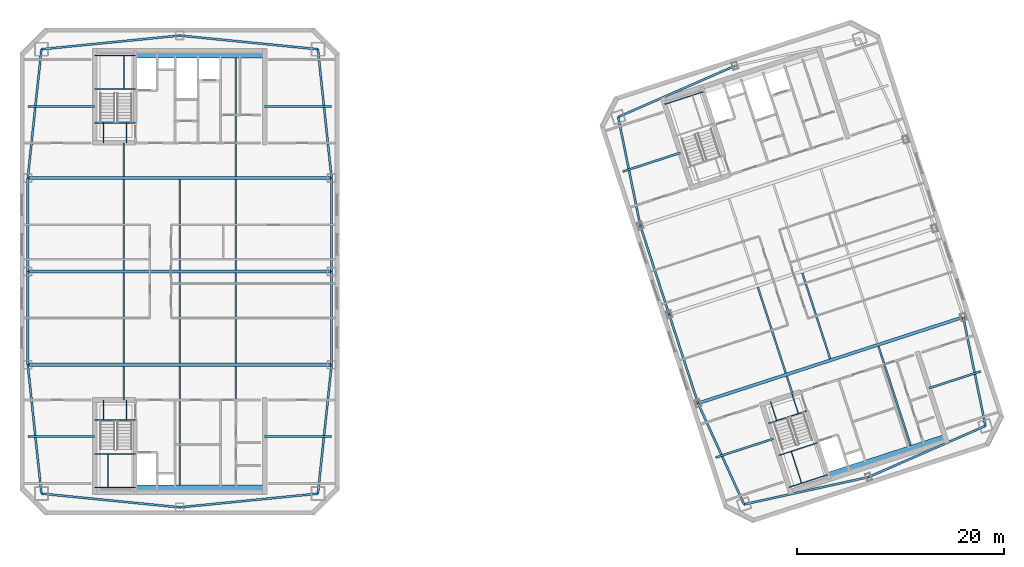
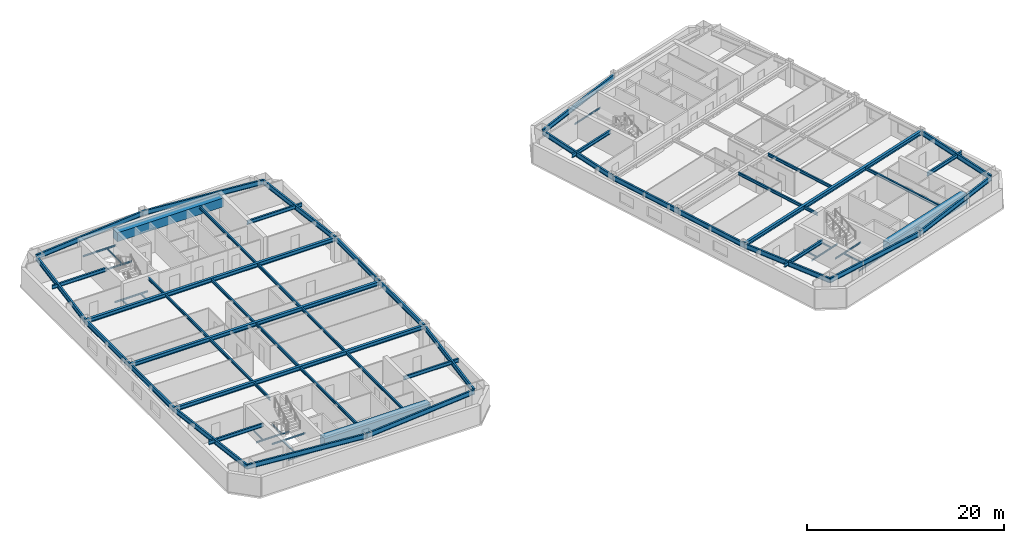
# One storey, part 3 of 13: 68 beams.
"""IFC4 building model written with IfcOpenShell, lengths in metres."""

from ifc_helpers import new_model, si_unit, direction, frame, origin, origin_2d, place, context, subcontext, project, spatial, rectangle, i_section, extrude, material, material_profile, profile_set, type_object, element, save


model = new_model("IFC4")

# Units and contexts
model_context = context("Model", 3, precision=1e-05, world=origin(), true_north=direction((0.0, 1.0)))
body_context = subcontext(model_context, "Body", "Model", "MODEL_VIEW")
ifc_project = project(units=[si_unit("LENGTHUNIT", "METRE"), si_unit("AREAUNIT", "SQUARE_METRE"), si_unit("VOLUMEUNIT", "CUBIC_METRE"), si_unit("PLANEANGLEUNIT", "RADIAN"), si_unit("MASSUNIT", "GRAM", prefix="KILO")], contexts=[model_context])

# Site, building, storey
site_placement = place(None, origin())
site = spatial("IfcSite", under=ifc_project, at=site_placement, CompositionType="ELEMENT")
building_placement = place(site_placement, origin())
building = spatial("IfcBuilding", under=site, at=building_placement, Name="Qiaolan Cultural Towers", CompositionType="ELEMENT")
storey_placement = place(building_placement, frame((0.0, 0.0, 234.39990234375)))
storey = spatial("IfcBuildingStorey", under=building, at=storey_placement, Name="L63", CompositionType="ELEMENT", Elevation=234.39990234375)

# Beams
ifc_material_1 = material(Name="Steel Q355B", Category="steel")
ifc_material_profile_1 = material_profile(ifc_material_1, i_section(OverallWidth=0.300048828125, OverallDepth=0.488037109375, WebThickness=0.010986328125, FlangeThickness=0.01806640625, at=origin_2d()), Name="HM488x300x11x18")
ifc_profile_set_1 = profile_set([ifc_material_profile_1], Name="Steel Q355B")
beam_type_1 = type_object("IfcBeamType", Name="BM-HM488x300x11x18", PredefinedType="BEAM", material=ifc_profile_set_1)
for number, where, z_axis, x_axis, name in (
    (1, (15.35009765625, 25.0, 2.696044921875), (1.0, 0.0, 0.0), (0.0, 1.0, 0.0), "L63 T1 Primary Transverse Girder V1"),
    (2, (15.35009765625, 34.0, 2.696044921875), (1.0, 0.0, 0.0), (0.0, 1.0, 0.0), "L63 T1 Primary Transverse Girder V2"),
    (3, (15.35009765625, 43.0, 2.696044921875), (1.0, 0.0, 0.0), (0.0, 1.0, 0.0), "L63 T1 Primary Transverse Girder V3"),
):
    element("IfcBeam", number, at=place(storey_placement, frame(where, z_axis=z_axis, x_axis=x_axis)), inside=storey, type_object=beam_type_1, Name=name, PredefinedType="BEAM", context=body_context, shape_type="SweptSolid", body=[
        extrude(i_section(OverallWidth=0.300048828125, OverallDepth=0.488037109375, WebThickness=0.010986328125, FlangeThickness=0.01806640625, at=origin_2d()), origin(), (0.0, 0.0, 1.0), 29.2998046875),
    ])
beam_1_placement = place(storey_placement, frame((79.989501953125, 21.2841796875, 2.696044921875), z_axis=(0.951056543098, 0.309016911884, 0.0), x_axis=(-0.309016911884, 0.951056543098, 0.0)))
element("IfcBeam", 4, at=beam_1_placement, inside=storey, type_object=beam_type_1, Name="L63 T2 Primary Transverse Girder V1", PredefinedType="BEAM", context=body_context, shape_type="SweptSolid", body=[
    extrude(i_section(OverallWidth=0.300048828125, OverallDepth=0.488037109375, WebThickness=0.010986328125, FlangeThickness=0.01806640625, at=origin_2d()), origin(), (0.0, 0.0, 1.0), 26.89990234375),
])
ifc_material_2 = material(Name="Steel Q355B", Category="steel")
ifc_material_profile_2 = material_profile(ifc_material_2, i_section(OverallWidth=0.175048828125, OverallDepth=0.35009765625, WebThickness=0.007080078125, FlangeThickness=0.010986328125, at=origin_2d()), Name="HN350x175x7x11")
ifc_profile_set_2 = profile_set([ifc_material_profile_2], Name="Steel Q355B")
beam_type_2 = type_object("IfcBeamType", Name="BM-JST-HN350x175x7x11", PredefinedType="JOIST", material=ifc_profile_set_2)
beam_2_placement = place(storey_placement, frame((24.60009765625, 21.60009765625, 2.76513671875), z_axis=(0.0, 1.0, 0.0), x_axis=(-1.0, 0.0, 0.0)))
element("IfcBeam", 5, at=beam_2_placement, inside=storey, type_object=beam_type_2, Name="L63 T1 Secondary Floor Joist U1-1", PredefinedType="JOIST", context=body_context, shape_type="SweptSolid", body=[
    extrude(i_section(OverallWidth=0.175048828125, OverallDepth=0.35009765625, WebThickness=0.007080078125, FlangeThickness=0.010986328125, at=origin_2d()), origin(), (0.0, 0.0, 1.0), 3.25),
])
for number, where, z_axis, x_axis, name in (
    (6, (24.60009765625, 25.14990234375, 2.76513671875), (0.0, 1.0, 0.0), (-1.0, 0.0, 0.0), "L63 T1 Secondary Floor Joist U1-2"),
    (7, (24.60009765625, 34.14990234375, 2.76513671875), (0.0, 1.0, 0.0), (-1.0, 0.0, 0.0), "L63 T1 Secondary Floor Joist U1-3"),
):
    element("IfcBeam", number, at=place(storey_placement, frame(where, z_axis=z_axis, x_axis=x_axis)), inside=storey, type_object=beam_type_2, Name=name, PredefinedType="JOIST", context=body_context, shape_type="SweptSolid", body=[
        extrude(i_section(OverallWidth=0.175048828125, OverallDepth=0.35009765625, WebThickness=0.007080078125, FlangeThickness=0.010986328125, at=origin_2d()), origin(), (0.0, 0.0, 1.0), 8.7001953125),
    ])
beam_3_placement = place(storey_placement, frame((24.60009765625, 43.14990234375, 2.76513671875), z_axis=(0.0, 1.0, 0.0), x_axis=(-1.0, 0.0, 0.0)))
element("IfcBeam", 8, at=beam_3_placement, inside=storey, type_object=beam_type_2, Name="L63 T1 Secondary Floor Joist U1-4", PredefinedType="JOIST", context=body_context, shape_type="SweptSolid", body=[
    extrude(i_section(OverallWidth=0.175048828125, OverallDepth=0.35009765625, WebThickness=0.007080078125, FlangeThickness=0.010986328125, at=origin_2d()), origin(), (0.0, 0.0, 1.0), 3.25),
])
beam_4_placement = place(storey_placement, frame((30.0, 13.39990234375, 2.76513671875), z_axis=(0.0, 1.0, 0.0), x_axis=(-1.0, 0.0, 0.0)))
element("IfcBeam", 9, at=beam_4_placement, inside=storey, type_object=beam_type_2, Name="L63 T1 Secondary Floor Joist U2-1", PredefinedType="JOIST", context=body_context, shape_type="SweptSolid", body=[
    extrude(i_section(OverallWidth=0.175048828125, OverallDepth=0.35009765625, WebThickness=0.007080078125, FlangeThickness=0.010986328125, at=origin_2d()), origin(), (0.0, 0.0, 1.0), 11.4501953125),
])
for number, where, z_axis, x_axis, name in (
    (10, (30.0, 25.14990234375, 2.76513671875), (0.0, 1.0, 0.0), (-1.0, 0.0, 0.0), "L63 T1 Secondary Floor Joist U2-2"),
    (11, (30.0, 34.14990234375, 2.76513671875), (0.0, 1.0, 0.0), (-1.0, 0.0, 0.0), "L63 T1 Secondary Floor Joist U2-3"),
):
    element("IfcBeam", number, at=place(storey_placement, frame(where, z_axis=z_axis, x_axis=x_axis)), inside=storey, type_object=beam_type_2, Name=name, PredefinedType="JOIST", context=body_context, shape_type="SweptSolid", body=[
        extrude(i_section(OverallWidth=0.175048828125, OverallDepth=0.35009765625, WebThickness=0.007080078125, FlangeThickness=0.010986328125, at=origin_2d()), origin(), (0.0, 0.0, 1.0), 8.7001953125),
    ])
beam_5_placement = place(storey_placement, frame((35.39990234375, 13.39990234375, 2.76513671875), z_axis=(0.0, 1.0, 0.0), x_axis=(-1.0, 0.0, 0.0)))
element("IfcBeam", 12, at=beam_5_placement, inside=storey, type_object=beam_type_2, Name="L63 T1 Secondary Floor Joist U3-1", PredefinedType="JOIST", context=body_context, shape_type="SweptSolid", body=[
    extrude(i_section(OverallWidth=0.175048828125, OverallDepth=0.35009765625, WebThickness=0.007080078125, FlangeThickness=0.010986328125, at=origin_2d()), origin(), (0.0, 0.0, 1.0), 11.4501953125),
])
for number, where, z_axis, x_axis, name in (
    (13, (35.39990234375, 25.14990234375, 2.76513671875), (0.0, 1.0, 0.0), (-1.0, 0.0, 0.0), "L63 T1 Secondary Floor Joist U3-2"),
    (14, (35.39990234375, 34.14990234375, 2.76513671875), (0.0, 1.0, 0.0), (-1.0, 0.0, 0.0), "L63 T1 Secondary Floor Joist U3-3"),
):
    element("IfcBeam", number, at=place(storey_placement, frame(where, z_axis=z_axis, x_axis=x_axis)), inside=storey, type_object=beam_type_2, Name=name, PredefinedType="JOIST", context=body_context, shape_type="SweptSolid", body=[
        extrude(i_section(OverallWidth=0.175048828125, OverallDepth=0.35009765625, WebThickness=0.007080078125, FlangeThickness=0.010986328125, at=origin_2d()), origin(), (0.0, 0.0, 1.0), 8.7001953125),
    ])
beam_6_placement = place(storey_placement, frame((35.39990234375, 43.14990234375, 2.76513671875), z_axis=(0.0, 1.0, 0.0), x_axis=(-1.0, 0.0, 0.0)))
element("IfcBeam", 15, at=beam_6_placement, inside=storey, type_object=beam_type_2, Name="L63 T1 Secondary Floor Joist U3-4", PredefinedType="JOIST", context=body_context, shape_type="SweptSolid", body=[
    extrude(i_section(OverallWidth=0.175048828125, OverallDepth=0.35009765625, WebThickness=0.007080078125, FlangeThickness=0.010986328125, at=origin_2d()), origin(), (0.0, 0.0, 1.0), 11.4501953125),
])
beam_7_placement = place(storey_placement, frame((89.119384765625, 22.147705078125, 2.76513671875), z_axis=(-0.308933885266, 0.951083516067, 0.0), x_axis=(-0.951083516067, -0.308933885266, 0.0)))
element("IfcBeam", 16, at=beam_7_placement, inside=storey, type_object=beam_type_2, Name="L63 T2 Secondary Floor Joist U1-1", PredefinedType="JOIST", context=body_context, shape_type="SweptSolid", body=[
    extrude(i_section(OverallWidth=0.175048828125, OverallDepth=0.35009765625, WebThickness=0.007080078125, FlangeThickness=0.010986328125, at=origin_2d()), origin(), (0.0, 0.0, 1.0), 1.85009765625),
])
for number, where, z_axis, x_axis, name in (
    (17, (88.455078125, 24.192626953125, 2.76513671875), (-0.309020714809, 0.951055307445, 0.0), (-0.951055307445, -0.309020714809, 0.0), "L63 T2 Secondary Floor Joist U1-2"),
    (18, (92.73486328125, 25.583251953125, 2.76513671875), (-0.309020714809, 0.951055307445, 0.0), (-0.951055307445, -0.309020714809, 0.0), "L63 T2 Secondary Floor Joist U2-2"),
):
    element("IfcBeam", number, at=place(storey_placement, frame(where, z_axis=z_axis, x_axis=x_axis)), inside=storey, type_object=beam_type_2, Name=name, PredefinedType="JOIST", context=body_context, shape_type="SweptSolid", body=[
        extrude(i_section(OverallWidth=0.175048828125, OverallDepth=0.35009765625, WebThickness=0.007080078125, FlangeThickness=0.010986328125, at=origin_2d()), origin(), (0.0, 0.0, 1.0), 8.699951171875),
    ])
beam_8_placement = place(storey_placement, frame((100.498291015625, 17.222900390625, 2.76513671875), z_axis=(-0.309025649293, 0.951053704098, 0.0), x_axis=(-0.951053704098, -0.309025649293, 0.0)))
element("IfcBeam", 19, at=beam_8_placement, inside=storey, type_object=beam_type_2, Name="L63 T2 Secondary Floor Joist U3-1", PredefinedType="JOIST", context=body_context, shape_type="SweptSolid", body=[
    extrude(i_section(OverallWidth=0.175048828125, OverallDepth=0.35009765625, WebThickness=0.007080078125, FlangeThickness=0.010986328125, at=origin_2d()), origin(), (0.0, 0.0, 1.0), 10.050048828125),
])
ifc_material_3 = material(Name="Steel Q355B", Category="steel")
ifc_material_profile_3 = material_profile(ifc_material_3, i_section(OverallWidth=0.199951171875, OverallDepth=0.449951171875, WebThickness=0.009033203125, FlangeThickness=0.013916015625, at=origin_2d()), Name="HN450x200x9x14")
ifc_profile_set_3 = profile_set([ifc_material_profile_3], Name="Steel Q355B")
beam_type_3 = type_object("IfcBeamType", Name="BM-LNT-HN450x200x9x14", PredefinedType="LINTEL", material=ifc_profile_set_3)
for number, where, z_axis, x_axis, name in (
    (20, (21.800048828125, 18.10009765625, 2.715087890625), (-1.0, 0.0, 0.0), (0.0, -1.0, 0.0), "L63 T1 Core Flank Tie Lintel WS"),
    (21, (21.800048828125, 49.89990234375, 2.715087890625), (-1.0, 0.0, 0.0), (0.0, -1.0, 0.0), "L63 T1 Core Flank Tie Lintel WN"),
    (22, (38.199951171875, 18.10009765625, 2.715087890625), (1.0, 0.0, 0.0), (0.0, 1.0, 0.0), "L63 T1 Core Flank Tie Lintel ES"),
    (23, (38.199951171875, 49.89990234375, 2.715087890625), (1.0, 0.0, 0.0), (0.0, 1.0, 0.0), "L63 T1 Core Flank Tie Lintel EN"),
):
    element("IfcBeam", number, at=place(storey_placement, frame(where, z_axis=z_axis, x_axis=x_axis)), inside=storey, type_object=beam_type_3, Name=name, PredefinedType="LINTEL", context=body_context, shape_type="SweptSolid", body=[
        extrude(i_section(OverallWidth=0.199951171875, OverallDepth=0.449951171875, WebThickness=0.009033203125, FlangeThickness=0.013916015625, at=origin_2d()), origin(), (0.0, 0.0, 1.0), 6.449951171875),
    ])
for number, where, z_axis, x_axis, name in (
    (24, (87.252685546875, 17.861083984375, 2.715087890625), (-0.951063813276, -0.308994535675, 0.0), (0.308994535675, -0.951063813276, 0.0), "L63 T2 Core Flank Tie Lintel WS"),
    (25, (78.291259765625, 45.44189453125, 2.715087890625), (-0.951051548326, -0.309032283793, 0.0), (0.309032283793, -0.951051548326, 0.0), "L63 T2 Core Flank Tie Lintel WN"),
):
    element("IfcBeam", number, at=place(storey_placement, frame(where, z_axis=z_axis, x_axis=x_axis)), inside=storey, type_object=beam_type_3, Name=name, PredefinedType="LINTEL", context=body_context, shape_type="SweptSolid", body=[
        extrude(i_section(OverallWidth=0.199951171875, OverallDepth=0.449951171875, WebThickness=0.009033203125, FlangeThickness=0.013916015625, at=origin_2d()), origin(), (0.0, 0.0, 1.0), 5.85009765625),
    ])
beam_9_placement = place(storey_placement, frame((102.279296875, 22.74365234375, 2.715087890625), z_axis=(0.951060037126, 0.309006158161, 0.0), x_axis=(-0.309006158161, 0.951060037126, 0.0)))
element("IfcBeam", 26, at=beam_9_placement, inside=storey, type_object=beam_type_3, Name="L63 T2 Core Flank Tie Lintel ES", PredefinedType="LINTEL", context=body_context, shape_type="SweptSolid", body=[
    extrude(i_section(OverallWidth=0.199951171875, OverallDepth=0.449951171875, WebThickness=0.009033203125, FlangeThickness=0.013916015625, at=origin_2d()), origin(), (0.0, 0.0, 1.0), 5.25),
])
ifc_material_4 = material(Name="Concrete C50", Category="concrete")
ifc_material_profile_4 = material_profile(ifc_material_4, rectangle(XDim=0.89990234375, YDim=1.10009765625, at=origin_2d()), Name="RC900x1100")
ifc_profile_set_4 = profile_set([ifc_material_profile_4], Name="Concrete C50")
beam_type_4 = type_object("IfcBeamType", Name="BM-RC900x1100", PredefinedType="BEAM", material=ifc_profile_set_4)
for number, where, z_axis, x_axis, name in (
    (27, (25.719970703125, 12.949951171875, 2.39013671875), (1.0, 0.0, 0.0), (0.0, 1.0, 0.0), "L63 T1 Core Header Girder S"),
    (28, (25.719970703125, 55.050048828125, 2.39013671875), (1.0, 0.0, 0.0), (0.0, 1.0, 0.0), "L63 T1 Core Header Girder N"),
):
    element("IfcBeam", number, at=place(storey_placement, frame(where, z_axis=z_axis, x_axis=x_axis)), inside=storey, type_object=beam_type_4, Name=name, PredefinedType="BEAM", context=body_context, shape_type="SweptSolid", body=[
        extrude(rectangle(XDim=0.89990234375, YDim=1.10009765625, at=origin_2d()), origin(), (0.0, 0.0, 1.0), 12.47998046875),
    ])
beam_10_placement = place(storey_placement, frame((92.572265625, 14.174560546875, 2.39013671875), z_axis=(0.951056266386, 0.309017763514, 0.0), x_axis=(-0.309017763514, 0.951056266386, 0.0)))
element("IfcBeam", 29, at=beam_10_placement, inside=storey, type_object=beam_type_4, Name="L63 T2 Core Header Girder S", PredefinedType="BEAM", context=body_context, shape_type="SweptSolid", body=[
    extrude(rectangle(XDim=0.89990234375, YDim=1.10009765625, at=origin_2d()), origin(), (0.0, 0.0, 1.0), 11.880126953125),
])
ifc_material_5 = material(Name="Steel Q355B", Category="steel")
ifc_material_profile_5 = material_profile(ifc_material_5, i_section(OverallWidth=0.199951171875, OverallDepth=0.60009765625, WebThickness=0.010986328125, FlangeThickness=0.01708984375, at=origin_2d()), Name="HN600x200x11x17")
ifc_profile_set_5 = profile_set([ifc_material_profile_5], Name="Steel Q355B")
beam_type_5 = type_object("IfcBeamType", Name="BM-SPD-HN600x200x11x17", PredefinedType="SPANDREL", material=ifc_profile_set_5)
for number, where, z_axis, x_axis, name in (
    (30, (16.669921875, 12.570068359375, 2.64013671875), (0.995132371263, -0.098547266143, 0.0), (0.098547266143, 0.995132371263, 0.0), "L63 T1 Perimeter Spandrel Beam 1"),
    (31, (30.0, 11.25, 2.64013671875), (0.995132371263, 0.098547266143, 0.0), (-0.098547266143, 0.995132371263, 0.0), "L63 T1 Perimeter Spandrel Beam 2"),
):
    element("IfcBeam", number, at=place(storey_placement, frame(where, z_axis=z_axis, x_axis=x_axis)), inside=storey, type_object=beam_type_5, Name=name, PredefinedType="SPANDREL", context=body_context, shape_type="SweptSolid", body=[
        extrude(i_section(OverallWidth=0.199951171875, OverallDepth=0.60009765625, WebThickness=0.010986328125, FlangeThickness=0.01708984375, at=origin_2d()), origin(), (0.0, 0.0, 1.0), 13.395263671875),
    ])
beam_11_placement = place(storey_placement, frame((43.330078125, 12.570068359375, 2.64013671875), z_axis=(0.105587580773, 0.994410007384, 0.0), x_axis=(-0.994410007384, 0.105587580773, 0.0)))
element("IfcBeam", 32, at=beam_11_placement, inside=storey, type_object=beam_type_5, Name="L63 T1 Perimeter Spandrel Beam 3", PredefinedType="SPANDREL", context=body_context, shape_type="SweptSolid", body=[
    extrude(i_section(OverallWidth=0.199951171875, OverallDepth=0.60009765625, WebThickness=0.010986328125, FlangeThickness=0.01708984375, at=origin_2d()), origin(), (0.0, 0.0, 1.0), 12.499755859375),
])
for number, where, z_axis, x_axis, name in (
    (33, (44.64990234375, 25.0, 2.64013671875), (0.0, 1.0, 0.0), (-1.0, 0.0, 0.0), "L63 T1 Perimeter Spandrel Beam 4"),
    (34, (44.64990234375, 34.0, 2.64013671875), (0.0, 1.0, 0.0), (-1.0, 0.0, 0.0), "L63 T1 Perimeter Spandrel Beam 5"),
):
    element("IfcBeam", number, at=place(storey_placement, frame(where, z_axis=z_axis, x_axis=x_axis)), inside=storey, type_object=beam_type_5, Name=name, PredefinedType="SPANDREL", context=body_context, shape_type="SweptSolid", body=[
        extrude(i_section(OverallWidth=0.199951171875, OverallDepth=0.60009765625, WebThickness=0.010986328125, FlangeThickness=0.01708984375, at=origin_2d()), origin(), (0.0, 0.0, 1.0), 9.0),
    ])
beam_12_placement = place(storey_placement, frame((44.64990234375, 43.0, 2.64013671875), z_axis=(-0.105587580773, 0.994410007384, 0.0), x_axis=(-0.994410007384, -0.105587580773, 0.0)))
element("IfcBeam", 35, at=beam_12_placement, inside=storey, type_object=beam_type_5, Name="L63 T1 Perimeter Spandrel Beam 6", PredefinedType="SPANDREL", context=body_context, shape_type="SweptSolid", body=[
    extrude(i_section(OverallWidth=0.199951171875, OverallDepth=0.60009765625, WebThickness=0.010986328125, FlangeThickness=0.01708984375, at=origin_2d()), origin(), (0.0, 0.0, 1.0), 12.499755859375),
])
for number, where, z_axis, x_axis, name in (
    (36, (43.330078125, 55.429931640625, 2.64013671875), (-0.995132371263, 0.098547266143, 0.0), (-0.098547266143, -0.995132371263, 0.0), "L63 T1 Perimeter Spandrel Beam 7"),
    (37, (30.0, 56.75, 2.64013671875), (-0.995132371263, -0.098547266143, 0.0), (0.098547266143, -0.995132371263, 0.0), "L63 T1 Perimeter Spandrel Beam 8"),
):
    element("IfcBeam", number, at=place(storey_placement, frame(where, z_axis=z_axis, x_axis=x_axis)), inside=storey, type_object=beam_type_5, Name=name, PredefinedType="SPANDREL", context=body_context, shape_type="SweptSolid", body=[
        extrude(i_section(OverallWidth=0.199951171875, OverallDepth=0.60009765625, WebThickness=0.010986328125, FlangeThickness=0.01708984375, at=origin_2d()), origin(), (0.0, 0.0, 1.0), 13.395263671875),
    ])
beam_13_placement = place(storey_placement, frame((16.669921875, 55.429931640625, 2.64013671875), z_axis=(-0.105587580773, -0.994410007384, 0.0), x_axis=(0.994410007384, -0.105587580773, 0.0)))
element("IfcBeam", 38, at=beam_13_placement, inside=storey, type_object=beam_type_5, Name="L63 T1 Perimeter Spandrel Beam 9", PredefinedType="SPANDREL", context=body_context, shape_type="SweptSolid", body=[
    extrude(i_section(OverallWidth=0.199951171875, OverallDepth=0.60009765625, WebThickness=0.010986328125, FlangeThickness=0.01708984375, at=origin_2d()), origin(), (0.0, 0.0, 1.0), 12.499755859375),
])
for number, where, z_axis, x_axis, name in (
    (39, (15.35009765625, 43.0, 2.64013671875), (0.0, -1.0, 0.0), (1.0, 0.0, 0.0), "L63 T1 Perimeter Spandrel Beam 10"),
    (40, (15.35009765625, 34.0, 2.64013671875), (0.0, -1.0, 0.0), (1.0, 0.0, 0.0), "L63 T1 Perimeter Spandrel Beam 11"),
):
    element("IfcBeam", number, at=place(storey_placement, frame(where, z_axis=z_axis, x_axis=x_axis)), inside=storey, type_object=beam_type_5, Name=name, PredefinedType="SPANDREL", context=body_context, shape_type="SweptSolid", body=[
        extrude(i_section(OverallWidth=0.199951171875, OverallDepth=0.60009765625, WebThickness=0.010986328125, FlangeThickness=0.01708984375, at=origin_2d()), origin(), (0.0, 0.0, 1.0), 9.0),
    ])
beam_14_placement = place(storey_placement, frame((15.35009765625, 25.0, 2.64013671875), z_axis=(0.105587580773, -0.994410007384, 0.0), x_axis=(0.994410007384, 0.105587580773, 0.0)))
element("IfcBeam", 41, at=beam_14_placement, inside=storey, type_object=beam_type_5, Name="L63 T1 Perimeter Spandrel Beam 12", PredefinedType="SPANDREL", context=body_context, shape_type="SweptSolid", body=[
    extrude(i_section(OverallWidth=0.199951171875, OverallDepth=0.60009765625, WebThickness=0.010986328125, FlangeThickness=0.01708984375, at=origin_2d()), origin(), (0.0, 0.0, 1.0), 12.499755859375),
])
beam_15_placement = place(storey_placement, frame((84.42822265625, 11.538818359375, 2.64013671875), z_axis=(0.976843395078, 0.213955559619, 0.0), x_axis=(-0.213955559619, 0.976843395078, 0.0)))
element("IfcBeam", 42, at=beam_15_placement, inside=storey, type_object=beam_type_5, Name="L63 T2 Perimeter Spandrel Beam 1", PredefinedType="SPANDREL", context=body_context, shape_type="SweptSolid", body=[
    extrude(i_section(OverallWidth=0.199951171875, OverallDepth=0.60009765625, WebThickness=0.010986328125, FlangeThickness=0.01708984375, at=origin_2d()), origin(), (0.0, 0.0, 1.0), 12.2998046875),
])
beam_16_placement = place(storey_placement, frame((96.443115234375, 14.17041015625, 2.64013671875), z_axis=(0.916042038824, 0.401082264762, 0.0), x_axis=(-0.401082264762, 0.916042038824, 0.0)))
element("IfcBeam", 43, at=beam_16_placement, inside=storey, type_object=beam_type_5, Name="L63 T2 Perimeter Spandrel Beam 2", PredefinedType="SPANDREL", context=body_context, shape_type="SweptSolid", body=[
    extrude(i_section(OverallWidth=0.199951171875, OverallDepth=0.60009765625, WebThickness=0.010986328125, FlangeThickness=0.01708984375, at=origin_2d()), origin(), (0.0, 0.0, 1.0), 12.299560546875),
])
beam_17_placement = place(storey_placement, frame((107.7099609375, 19.103515625, 2.64013671875), z_axis=(-0.199578538116, 0.979881833245, 0.0), x_axis=(-0.979881833245, -0.199578538116, 0.0)))
element("IfcBeam", 44, at=beam_17_placement, inside=storey, type_object=beam_type_5, Name="L63 T2 Perimeter Spandrel Beam 3", PredefinedType="SPANDREL", context=body_context, shape_type="SweptSolid", body=[
    extrude(i_section(OverallWidth=0.199951171875, OverallDepth=0.60009765625, WebThickness=0.010986328125, FlangeThickness=0.01708984375, at=origin_2d()), origin(), (0.0, 0.0, 1.0), 10.70849609375),
])
beam_18_placement = place(storey_placement, frame((83.556884765625, 53.82958984375, 2.64013671875), z_axis=(-0.916042038824, -0.401082264762, 0.0), x_axis=(0.401082264762, -0.916042038824, 0.0)))
element("IfcBeam", 45, at=beam_18_placement, inside=storey, type_object=beam_type_5, Name="L63 T2 Perimeter Spandrel Beam 8", PredefinedType="SPANDREL", context=body_context, shape_type="SweptSolid", body=[
    extrude(i_section(OverallWidth=0.199951171875, OverallDepth=0.60009765625, WebThickness=0.010986328125, FlangeThickness=0.01708984375, at=origin_2d()), origin(), (0.0, 0.0, 1.0), 12.299560546875),
])
beam_19_placement = place(storey_placement, frame((72.2900390625, 48.896484375, 2.64013671875), z_axis=(0.199578538116, -0.979881833245, 0.0), x_axis=(0.979881833245, 0.199578538116, 0.0)))
element("IfcBeam", 46, at=beam_19_placement, inside=storey, type_object=beam_type_5, Name="L63 T2 Perimeter Spandrel Beam 9", PredefinedType="SPANDREL", context=body_context, shape_type="SweptSolid", body=[
    extrude(i_section(OverallWidth=0.199951171875, OverallDepth=0.60009765625, WebThickness=0.010986328125, FlangeThickness=0.01708984375, at=origin_2d()), origin(), (0.0, 0.0, 1.0), 10.70849609375),
])
for number, where, z_axis, x_axis, name in (
    (47, (74.42724609375, 38.4033203125, 2.64013671875), (0.309000197986, -0.951061973609, 0.0), (0.951061973609, 0.309000197986, 0.0), "L63 T2 Perimeter Spandrel Beam 10"),
    (48, (77.208251953125, 29.84375, 2.64013671875), (0.309024734286, -0.951054001411, 0.0), (0.951054001411, 0.309024734286, 0.0), "L63 T2 Perimeter Spandrel Beam 11"),
):
    element("IfcBeam", number, at=place(storey_placement, frame(where, z_axis=z_axis, x_axis=x_axis)), inside=storey, type_object=beam_type_5, Name=name, PredefinedType="SPANDREL", context=body_context, shape_type="SweptSolid", body=[
        extrude(i_section(OverallWidth=0.199951171875, OverallDepth=0.60009765625, WebThickness=0.010986328125, FlangeThickness=0.01708984375, at=origin_2d()), origin(), (0.0, 0.0, 1.0), 9.0),
    ])
beam_20_placement = place(storey_placement, frame((79.989501953125, 21.2841796875, 2.64013671875), z_axis=(0.414500208282, -0.910049216985, 0.0), x_axis=(0.910049216985, 0.414500208282, 0.0)))
element("IfcBeam", 49, at=beam_20_placement, inside=storey, type_object=beam_type_5, Name="L63 T2 Perimeter Spandrel Beam 12", PredefinedType="SPANDREL", context=body_context, shape_type="SweptSolid", body=[
    extrude(i_section(OverallWidth=0.199951171875, OverallDepth=0.60009765625, WebThickness=0.010986328125, FlangeThickness=0.01708984375, at=origin_2d()), origin(), (0.0, 0.0, 1.0), 10.70849609375),
])
ifc_material_6 = material(Name="Steel Q355B", Category="steel")
ifc_material_profile_6 = material_profile(ifc_material_6, i_section(OverallWidth=0.10009765625, OverallDepth=0.199951171875, WebThickness=0.005615234375, FlangeThickness=0.008056640625, at=origin_2d()), Name="HN200x100x5.5x8")
ifc_profile_set_6 = profile_set([ifc_material_profile_6], Name="Steel Q355B")
beam_type_6 = type_object("IfcBeamType", Name="BM-STTRIM-200", PredefinedType="BEAM", material=ifc_profile_set_6)
beam_21_placement = place(storey_placement, frame((21.800048828125, 19.659912109375, -0.4599609375), z_axis=(1.0, 0.0, 0.0), x_axis=(0.0, 1.0, 0.0)))
element("IfcBeam", 50, at=beam_21_placement, inside=storey, type_object=beam_type_6, Name="L63 ST-W1 Floor Landing Header Beam", PredefinedType="BEAM", context=body_context, shape_type="SweptSolid", body=[
    extrude(i_section(OverallWidth=0.10009765625, OverallDepth=0.199951171875, WebThickness=0.005615234375, FlangeThickness=0.008056640625, at=origin_2d()), origin(), (0.0, 0.0, 1.0), 3.919921875),
])
for number, where, z_axis, x_axis, name in (
    (51, (22.64990234375, 21.60009765625, -0.4599609375), (0.0, -1.0, 0.0), (1.0, 0.0, 0.0), "L63 ST-W1 Floor Landing Stringer 1"),
    (52, (24.85009765625, 21.60009765625, -0.4599609375), (0.0, -1.0, 0.0), (1.0, 0.0, 0.0), "L63 ST-W1 Floor Landing Stringer 2"),
):
    element("IfcBeam", number, at=place(storey_placement, frame(where, z_axis=z_axis, x_axis=x_axis)), inside=storey, type_object=beam_type_6, Name=name, PredefinedType="BEAM", context=body_context, shape_type="SweptSolid", body=[
        extrude(i_section(OverallWidth=0.10009765625, OverallDepth=0.199951171875, WebThickness=0.005615234375, FlangeThickness=0.008056640625, at=origin_2d()), origin(), (0.0, 0.0, 1.0), 1.940185546875),
    ])
for number, where, z_axis, x_axis, name in (
    (53, (21.800048828125, 16.411376953125, 1.300048828125), (1.0, 0.0, 0.0), (0.0, 1.0, 0.0), "L63 ST-W1 Stair Landing Support Beam 1-1"),
    (54, (21.800048828125, 13.179931640625, 1.300048828125), (1.0, 0.0, 0.0), (0.0, 1.0, 0.0), "L63 ST-W1 Stair Landing Support Beam 1-2"),
):
    element("IfcBeam", number, at=place(storey_placement, frame(where, z_axis=z_axis, x_axis=x_axis)), inside=storey, type_object=beam_type_6, Name=name, PredefinedType="BEAM", context=body_context, shape_type="SweptSolid", body=[
        extrude(i_section(OverallWidth=0.10009765625, OverallDepth=0.199951171875, WebThickness=0.005615234375, FlangeThickness=0.008056640625, at=origin_2d()), origin(), (0.0, 0.0, 1.0), 3.919921875),
    ])
beam_22_placement = place(storey_placement, frame((23.070068359375, 16.411376953125, 1.300048828125), z_axis=(0.0, -1.0, 0.0), x_axis=(1.0, 0.0, 0.0)))
element("IfcBeam", 55, at=beam_22_placement, inside=storey, type_object=beam_type_6, Name="L63 ST-W1 Stair Landing Trimmer 1", PredefinedType="BEAM", context=body_context, shape_type="SweptSolid", body=[
    extrude(i_section(OverallWidth=0.10009765625, OverallDepth=0.199951171875, WebThickness=0.005615234375, FlangeThickness=0.008056640625, at=origin_2d()), origin(), (0.0, 0.0, 1.0), 3.2314453125),
])
beam_23_placement = place(storey_placement, frame((21.800048828125, 48.340087890625, -0.4599609375), z_axis=(1.0, 0.0, 0.0), x_axis=(0.0, 1.0, 0.0)))
element("IfcBeam", 56, at=beam_23_placement, inside=storey, type_object=beam_type_6, Name="L63 ST-W2 Floor Landing Header Beam", PredefinedType="BEAM", context=body_context, shape_type="SweptSolid", body=[
    extrude(i_section(OverallWidth=0.10009765625, OverallDepth=0.199951171875, WebThickness=0.005615234375, FlangeThickness=0.008056640625, at=origin_2d()), origin(), (0.0, 0.0, 1.0), 3.919921875),
])
for number, where, z_axis, x_axis, name in (
    (57, (22.64990234375, 46.39990234375, -0.4599609375), (0.0, 1.0, 0.0), (-1.0, 0.0, 0.0), "L63 ST-W2 Floor Landing Stringer 1"),
    (58, (24.85009765625, 46.39990234375, -0.4599609375), (0.0, 1.0, 0.0), (-1.0, 0.0, 0.0), "L63 ST-W2 Floor Landing Stringer 2"),
):
    element("IfcBeam", number, at=place(storey_placement, frame(where, z_axis=z_axis, x_axis=x_axis)), inside=storey, type_object=beam_type_6, Name=name, PredefinedType="BEAM", context=body_context, shape_type="SweptSolid", body=[
        extrude(i_section(OverallWidth=0.10009765625, OverallDepth=0.199951171875, WebThickness=0.005615234375, FlangeThickness=0.008056640625, at=origin_2d()), origin(), (0.0, 0.0, 1.0), 1.940185546875),
    ])
for number, where, z_axis, x_axis, name in (
    (59, (21.800048828125, 51.588623046875, 1.300048828125), (1.0, 0.0, 0.0), (0.0, 1.0, 0.0), "L63 ST-W2 Stair Landing Support Beam 1-1"),
    (60, (21.800048828125, 54.820068359375, 1.300048828125), (1.0, 0.0, 0.0), (0.0, 1.0, 0.0), "L63 ST-W2 Stair Landing Support Beam 1-2"),
):
    element("IfcBeam", number, at=place(storey_placement, frame(where, z_axis=z_axis, x_axis=x_axis)), inside=storey, type_object=beam_type_6, Name=name, PredefinedType="BEAM", context=body_context, shape_type="SweptSolid", body=[
        extrude(i_section(OverallWidth=0.10009765625, OverallDepth=0.199951171875, WebThickness=0.005615234375, FlangeThickness=0.008056640625, at=origin_2d()), origin(), (0.0, 0.0, 1.0), 3.919921875),
    ])
beam_24_placement = place(storey_placement, frame((24.610107421875, 51.588623046875, 1.300048828125), z_axis=(0.0, 1.0, 0.0), x_axis=(-1.0, 0.0, 0.0)))
element("IfcBeam", 61, at=beam_24_placement, inside=storey, type_object=beam_type_6, Name="L63 ST-W2 Stair Landing Trimmer 1", PredefinedType="BEAM", context=body_context, shape_type="SweptSolid", body=[
    extrude(i_section(OverallWidth=0.10009765625, OverallDepth=0.199951171875, WebThickness=0.005615234375, FlangeThickness=0.008056640625, at=origin_2d()), origin(), (0.0, 0.0, 1.0), 3.2314453125),
])
beam_25_placement = place(storey_placement, frame((86.770751953125, 19.3447265625, -0.4599609375), z_axis=(0.951047798727, 0.309043823005, 0.0), x_axis=(-0.309043823005, 0.951047798727, 0.0)))
element("IfcBeam", 62, at=beam_25_placement, inside=storey, type_object=beam_type_6, Name="L63 ST-E1 Floor Landing Header Beam", PredefinedType="BEAM", context=body_context, shape_type="SweptSolid", body=[
    extrude(i_section(OverallWidth=0.10009765625, OverallDepth=0.199951171875, WebThickness=0.005615234375, FlangeThickness=0.008056640625, at=origin_2d()), origin(), (0.0, 0.0, 1.0), 3.919921875),
])
for number, where, z_axis, x_axis, name in (
    (63, (86.9794921875, 21.452392578125, -0.4599609375), (0.309083226701, -0.951034993558, 0.0), (0.951034993558, 0.309083226701, 0.0), "L63 ST-E1 Floor Landing Stringer 1"),
    (64, (89.07177734375, 22.13232421875, -0.4599609375), (0.309083226701, -0.951034993558, 0.0), (0.951034993558, 0.309083226701, 0.0), "L63 ST-E1 Floor Landing Stringer 2"),
):
    element("IfcBeam", number, at=place(storey_placement, frame(where, z_axis=z_axis, x_axis=x_axis)), inside=storey, type_object=beam_type_6, Name=name, PredefinedType="BEAM", context=body_context, shape_type="SweptSolid", body=[
        extrude(i_section(OverallWidth=0.10009765625, OverallDepth=0.199951171875, WebThickness=0.005615234375, FlangeThickness=0.008056640625, at=origin_2d()), origin(), (0.0, 0.0, 1.0), 1.93994140625),
    ])
for number, where, z_axis, x_axis, name in (
    (65, (87.774658203125, 16.255126953125, 1.300048828125), (0.951047798727, 0.309043823005, 0.0), (-0.309043823005, 0.951047798727, 0.0), "L63 ST-E1 Stair Landing Support Beam 1-1"),
    (66, (88.773193359375, 13.181884765625, 1.300048828125), (0.951047798727, 0.309043823005, 0.0), (-0.309043823005, 0.951047798727, 0.0), "L63 ST-E1 Stair Landing Support Beam 1-2"),
):
    element("IfcBeam", number, at=place(storey_placement, frame(where, z_axis=z_axis, x_axis=x_axis)), inside=storey, type_object=beam_type_6, Name=name, PredefinedType="BEAM", context=body_context, shape_type="SweptSolid", body=[
        extrude(i_section(OverallWidth=0.10009765625, OverallDepth=0.199951171875, WebThickness=0.005615234375, FlangeThickness=0.008056640625, at=origin_2d()), origin(), (0.0, 0.0, 1.0), 3.919921875),
    ])
beam_26_placement = place(storey_placement, frame((88.982421875, 16.6474609375, 1.300048828125), z_axis=(0.309033108495, -0.951051280349, 0.0), x_axis=(0.951051280349, 0.309033108495, 0.0)))
element("IfcBeam", 67, at=beam_26_placement, inside=storey, type_object=beam_type_6, Name="L63 ST-E1 Stair Landing Trimmer 1", PredefinedType="BEAM", context=body_context, shape_type="SweptSolid", body=[
    extrude(i_section(OverallWidth=0.10009765625, OverallDepth=0.199951171875, WebThickness=0.005615234375, FlangeThickness=0.008056640625, at=origin_2d()), origin(), (0.0, 0.0, 1.0), 3.231201171875),
])
beam_27_placement = place(storey_placement, frame((76.770751953125, 50.12109375, 1.300048828125), z_axis=(0.951072048947, 0.3089691857, 0.0), x_axis=(-0.3089691857, 0.951072048947, 0.0)))
element("IfcBeam", 68, at=beam_27_placement, inside=storey, type_object=beam_type_6, Name="L63 ST-E2 Stair Landing Support Beam 1-2", PredefinedType="BEAM", context=body_context, shape_type="SweptSolid", body=[
    extrude(i_section(OverallWidth=0.10009765625, OverallDepth=0.199951171875, WebThickness=0.005615234375, FlangeThickness=0.008056640625, at=origin_2d()), origin(), (0.0, 0.0, 1.0), 3.920166015625),
])

save(model, "model.ifc")
